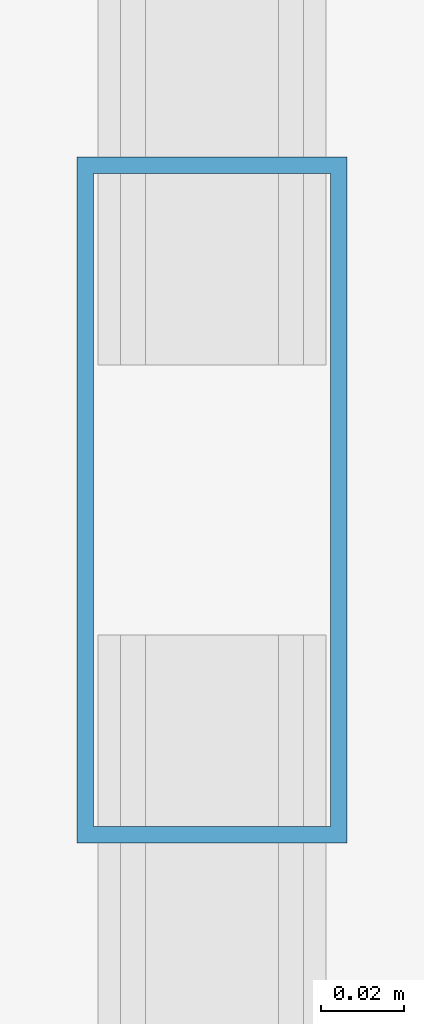
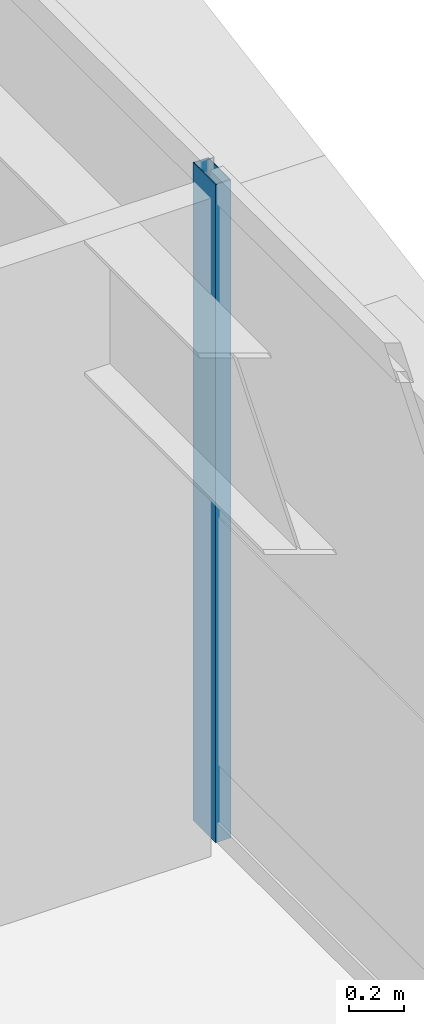
# One storey, part 26 of 59: 1 member, 1 element without a shape of its own.
"""IFC4 building model written with IfcOpenShell, lengths in metres."""

from ifc_helpers import new_model, si_unit, direction, frame, origin, origin_2d, place, context, subcontext, project, spatial, hollow_rectangle, extrude, source, transform, mapped, material, layer, layer_set, material_profile, profile_set, type_object, element, aggregate, save


model = new_model("IFC4")

# Units and contexts
model_context = context("Model", 3, precision=1e-05, world=origin(), true_north=direction((0.0, 1.0)))
body_context = subcontext(model_context, "Body", "Model", "MODEL_VIEW")
ifc_project = project(units=[si_unit("LENGTHUNIT", "METRE"), si_unit("AREAUNIT", "SQUARE_METRE"), si_unit("VOLUMEUNIT", "CUBIC_METRE"), si_unit("PLANEANGLEUNIT", "RADIAN"), si_unit("MASSUNIT", "GRAM", prefix="KILO")], contexts=[model_context])

# Site, building, storey
site_placement = place(None, origin())
site = spatial("IfcSite", under=ifc_project, at=site_placement, CompositionType="ELEMENT")
building_placement = place(site_placement, origin())
building = spatial("IfcBuilding", under=site, at=building_placement, Name="Taldren Reach Tower", CompositionType="ELEMENT")
storey_placement = place(building_placement, frame((0.0, 0.0, 29.39990234375)))
storey = spatial("IfcBuildingStorey", under=building, at=storey_placement, Name="L08", CompositionType="ELEMENT", Elevation=29.39990234375)

# Curtain wall, member
ifc_material_1 = material(Name="Aluminium and Low-E Glass Unitised System", Category="aluminium")
ifc_layer = layer(ifc_material_1, 0.159912109375)
ifc_layer_set = layer_set([ifc_layer], Name="Aluminium and Low-E Glass Unitised System")
curtain_wall_type = type_object("IfcCurtainWallType", Name="CW-SYS-2", PredefinedType="NOTDEFINED", material=ifc_layer_set)
curtain_wall_placement = place(storey_placement, origin())
curtain_wall = element("IfcCurtainWall", 1, at=curtain_wall_placement, inside=storey, type_object=curtain_wall_type, Name="Unitised curtain wall CW-L08-E", PredefinedType="NOTDEFINED")
ifc_material_2 = material(Name="Anodised Aluminium 6063-T6", Category="aluminium")
ifc_material_profile = material_profile(ifc_material_2, hollow_rectangle(XDim=0.06494140625, YDim=0.1650390625, WallThickness=0.00390625, at=origin_2d()), Name="ALU-165x65x4RHS")
ifc_profile_set = profile_set([ifc_material_profile], Name="Anodised Aluminium 6063-T6")
member_type = type_object("IfcMemberType", Name="CW-MUL-165", PredefinedType="MULLION", material=ifc_profile_set)
shared_shape = source(origin(), body_context, "Body", "SweptSolid", [
    extrude(hollow_rectangle(XDim=0.06494140625, YDim=0.1650390625, WallThickness=0.00390625, at=origin_2d()), origin(), (0.0, 0.0, 1.0), 2.93017578125),
])
member_placement = place(storey_placement, frame((64.860107421875, 11.388916015625, 0.0), z_axis=(0.0, 0.0, 1.0), x_axis=(-1.0, 0.0, 0.0)))
member = element("IfcMember", 2, at=member_placement, type_object=member_type, Name="CW-2 mullion 3", PredefinedType="MULLION", context=body_context, shape_type="MappedRepresentation", body=[
    mapped(shared_shape, transform((0.0, 0.0, 0.0), scale=1.0)),
])
aggregate(curtain_wall, [member])

save(model, "model.ifc")
